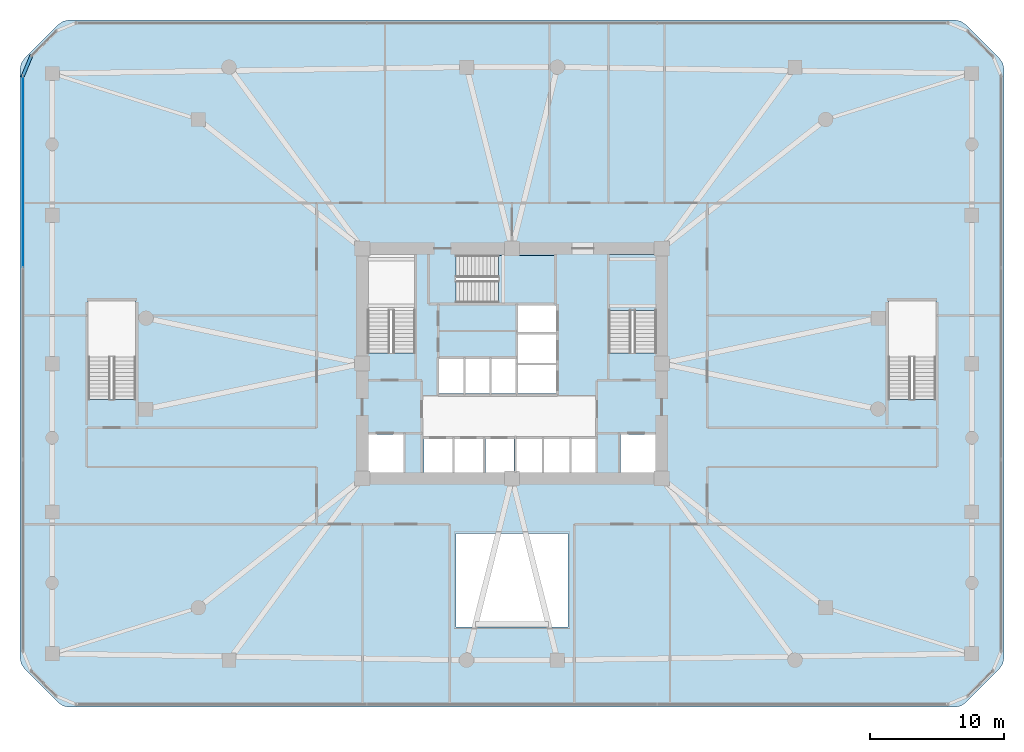
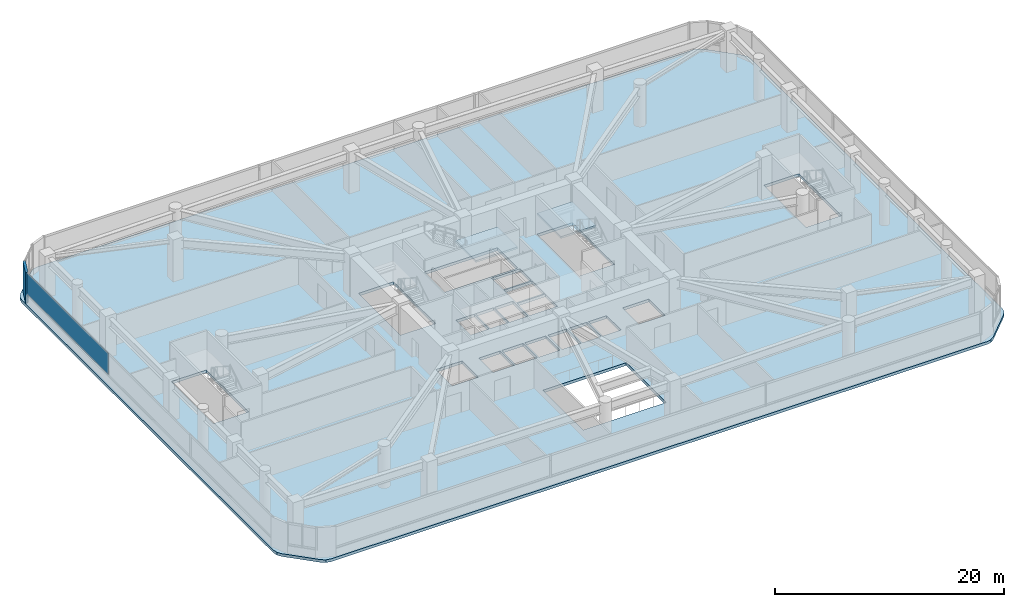
# One storey, part 13 of 21: 3 slabs, 2 plates, 3 elements without a shape of their own.
"""IFC4 building model written with IfcOpenShell, lengths in metres."""

from ifc_helpers import new_model, si_unit, derived_unit, direction, frame, origin, origin_2d, place, context, subcontext, project, spatial, polyline, rectangle, outline, extrude, material, layer, layer_set, type_object, element, aggregate, save


model = new_model("IFC4")

# Units and contexts
model_context = context("Model", 3, precision=1e-05, world=origin(), true_north=direction((0.0, 1.0)))
body_context = subcontext(model_context, "Body", "Model", "MODEL_VIEW")
ifc_project = project(units=[si_unit("LENGTHUNIT", "METRE"), si_unit("AREAUNIT", "SQUARE_METRE"), si_unit("VOLUMEUNIT", "CUBIC_METRE"), si_unit("PLANEANGLEUNIT", "RADIAN"), si_unit("MASSUNIT", "GRAM", prefix="KILO"), derived_unit("THERMALTRANSMITTANCEUNIT", [(si_unit("POWERUNIT", "WATT"), 1), (si_unit("LENGTHUNIT", "METRE"), -2), (si_unit("THERMODYNAMICTEMPERATUREUNIT", "KELVIN"), -1)])], contexts=[model_context])

# Site, building, storey
site_placement = place(None, origin())
site = spatial("IfcSite", under=ifc_project, at=site_placement, CompositionType="ELEMENT")
building_placement = place(site_placement, origin())
building = spatial("IfcBuilding", under=site, at=building_placement, Name="Koralith Skygarden Medical Center", CompositionType="ELEMENT")
storey_placement = place(building_placement, frame((0.0, 0.0, 5.39990234375)))
storey = spatial("IfcBuildingStorey", under=building, at=storey_placement, Name="L01", CompositionType="ELEMENT", Elevation=5.39990234375)

# Curtain wall, plate
ifc_material_1 = material(Name="Clear Laminated Glass", Category="glass")
curtain_wall_type = type_object("IfcCurtainWallType", Name="CW-1 Transit & Podium Acoustic Curtain Wall", PredefinedType="NOTDEFINED", material=ifc_material_1)
curtain_wall_placement = place(storey_placement, origin())
curtain_wall = element("IfcCurtainWall", 1, at=curtain_wall_placement, inside=storey, type_object=curtain_wall_type, Name="Curtain Wall CW-L01-W", PredefinedType="NOTDEFINED")
ifc_layer_1 = layer(ifc_material_1, 0.030029296875)
ifc_layer_set_1 = layer_set([ifc_layer_1], Name="Clear Laminated Glass")
plate_type_1 = type_object("IfcPlateType", Name="CW-1 Hurricane Laminated IGU Panel 30", PredefinedType="CURTAIN_PANEL", material=ifc_layer_set_1)
plate_1_placement = place(storey_placement, frame((0.419921875, 40.2470703125, 0.920166015625), z_axis=(0.0, 0.0, 1.0), x_axis=(0.0, -1.0, 0.0)))
plate_1 = element("IfcPlate", 2, at=plate_1_placement, type_object=plate_type_1, Name="CW-L01-W Glazed Panel 1", PredefinedType="CURTAIN_PANEL", context=body_context, shape_type="SweptSolid", body=[
    extrude(rectangle(XDim=14.257080078125, YDim=0.030029296875, at=origin_2d()), origin(), (0.0, 0.0, 1.0), 2.25),
])
aggregate(curtain_wall, [plate_1])

# Stair, slab
ifc_material_2 = material(Name="Concrete C45/55", Category="concrete")
stair_type = type_object("IfcStairType", Name="Core Exit Dogleg Concrete Stair", PredefinedType="HALF_TURN_STAIR", material=ifc_material_2)
stair_1_placement = place(storey_placement, origin())
stair_1 = element("IfcStair", 3, at=stair_1_placement, inside=storey, type_object=stair_type, Name="L01 Smokeproof Exit Stair ST2", PredefinedType="HALF_TURN_STAIR")
ifc_layer_2 = layer(ifc_material_2, 0.199951171875)
ifc_layer_set_2 = layer_set([ifc_layer_2], Name="Concrete C45/55")
slab_type_1 = type_object("IfcSlabType", Name="Core Exit Concrete Stair Landing 200", PredefinedType="LANDING", material=ifc_layer_set_2)
slab_1_placement = place(storey_placement, frame((0.0, 0.0, 2.050048828125)))
slab_1 = element("IfcSlab", 4, at=slab_1_placement, type_object=slab_type_1, Name="ST2 landing 1", PredefinedType="LANDING", context=body_context, shape_type="SweptSolid", body=[
    extrude(outline(polyline([(47.800048828125, 29.889892578125), (47.800048828125, 34.050048828125), (44.25, 34.050048828125), (44.25, 29.889892578125), (47.800048828125, 29.889892578125)])), origin(), (0.0, 0.0, 1.0), 0.199951171875),
])
aggregate(stair_1, [slab_1])

stair_2_placement = place(storey_placement, origin())
stair_2 = element("IfcStair", 5, at=stair_2_placement, inside=storey, type_object=stair_type, Name="L01 Smokeproof Exit Stair ST3", PredefinedType="HALF_TURN_STAIR")
slab_2_placement = place(storey_placement, frame((0.0, 0.0, 2.050048828125)))
slab_2 = element("IfcSlab", 6, at=slab_2_placement, type_object=slab_type_1, Name="ST3 landing 1", PredefinedType="LANDING", context=body_context, shape_type="SweptSolid", body=[
    extrude(outline(polyline([(35.989990234375, 30.449951171875), (40.199951171875, 30.449951171875), (40.199951171875, 34.0), (35.989990234375, 34.0), (35.989990234375, 30.449951171875)])), origin(), (0.0, 0.0, 1.0), 0.199951171875),
])
aggregate(stair_2, [slab_2])

# Slab
ifc_layer_3 = layer(ifc_material_2, 0.300048828125)
ifc_layer_set_3 = layer_set([ifc_layer_3], Name="Concrete C45/55")
slab_type_2 = type_object("IfcSlabType", Name="Podium & Diagnostic Stiffened Slab 300", PredefinedType="FLOOR", material=ifc_layer_set_3)
slab_3_placement = place(storey_placement, frame((0.0, 0.0, -0.2998046875)))
element("IfcSlab", 7, at=slab_3_placement, inside=storey, type_object=slab_type_2, Name="Level L01 Structural Floor Slab", PredefinedType="FLOOR", context=body_context, shape_type="SweptSolid", body=[
    extrude(outline(polyline([(3.049072265625, 0.551025390625), (3.43798828125, 0.291015625), (3.89697265625, 0.199951171875), (70.10302734375, 0.199951171875), (70.56201171875, 0.291015625), (70.950927734375, 0.551025390625), (73.448974609375, 3.049072265625), (73.708984375, 3.43798828125), (73.800048828125, 3.89697265625), (73.800048828125, 47.903076171875), (73.708984375, 48.362060546875), (73.448974609375, 48.7509765625), (70.950927734375, 51.2490234375), (70.56201171875, 51.509033203125), (70.10302734375, 51.60009765625), (3.89697265625, 51.60009765625), (3.43798828125, 51.509033203125), (3.049072265625, 51.2490234375), (0.551025390625, 48.7509765625), (0.291015625, 48.362060546875), (0.199951171875, 47.903076171875), (0.199951171875, 3.89697265625), (0.291015625, 3.43798828125), (0.551025390625, 3.049072265625), (3.049072265625, 0.551025390625)]), holes=[polyline([(26.199951171875, 26.705078125), (29.75, 26.705078125), (29.75, 34.050048828125), (26.199951171875, 34.050048828125), (26.199951171875, 26.705078125)]), polyline([(44.25, 26.705078125), (47.800048828125, 26.705078125), (47.800048828125, 34.050048828125), (44.25, 34.050048828125), (44.25, 26.705078125)]), polyline([(32.804931640625, 30.449951171875), (40.199951171875, 30.449951171875), (40.199951171875, 34.0), (32.804931640625, 34.0), (32.804931640625, 30.449951171875)]), polyline([(5.300048828125, 23.205078125), (8.85009765625, 23.205078125), (8.85009765625, 30.60009765625), (5.300048828125, 30.60009765625), (5.300048828125, 23.205078125)]), polyline([(65.14990234375, 23.205078125), (68.699951171875, 23.205078125), (68.699951171875, 30.60009765625), (65.14990234375, 30.60009765625), (65.14990234375, 23.205078125)]), polyline([(26.25, 17.75), (28.89990234375, 17.75), (28.89990234375, 20.60009765625), (26.25, 20.60009765625), (26.25, 17.75)]), polyline([(45.10009765625, 17.75), (47.75, 17.75), (47.75, 20.60009765625), (45.10009765625, 20.60009765625), (45.10009765625, 17.75)]), polyline([(30.39990234375, 17.75), (32.550048828125, 17.75), (32.550048828125, 20.25), (30.39990234375, 20.25), (30.39990234375, 17.75)]), polyline([(32.699951171875, 17.75), (34.85009765625, 17.75), (34.85009765625, 20.25), (32.699951171875, 20.25), (32.699951171875, 17.75)]), polyline([(35.0, 17.75), (37.14990234375, 17.75), (37.14990234375, 20.25), (35.0, 20.25), (35.0, 17.75)]), polyline([(37.35009765625, 17.75), (39.25, 17.75), (39.25, 20.25), (37.35009765625, 20.25), (37.35009765625, 17.75)]), polyline([(39.39990234375, 17.75), (41.300048828125, 17.75), (41.300048828125, 20.25), (39.39990234375, 20.25), (39.39990234375, 17.75)]), polyline([(41.449951171875, 17.75), (43.300048828125, 17.75), (43.300048828125, 20.25), (41.449951171875, 20.25), (41.449951171875, 17.75)]), polyline([(31.550048828125, 23.64990234375), (33.39990234375, 23.64990234375), (33.39990234375, 26.25), (31.550048828125, 26.25), (31.550048828125, 23.64990234375)]), polyline([(33.5, 23.64990234375), (35.35009765625, 23.64990234375), (35.35009765625, 26.25), (33.5, 26.25), (33.5, 23.64990234375)]), polyline([(35.449951171875, 23.64990234375), (37.300048828125, 23.64990234375), (37.300048828125, 26.25), (35.449951171875, 26.25), (35.449951171875, 23.64990234375)]), polyline([(37.449951171875, 23.64990234375), (40.300048828125, 23.64990234375), (40.300048828125, 25.800048828125), (37.449951171875, 25.800048828125), (37.449951171875, 23.64990234375)]), polyline([(37.449951171875, 25.949951171875), (40.300048828125, 25.949951171875), (40.300048828125, 28.10009765625), (37.449951171875, 28.10009765625), (37.449951171875, 25.949951171875)]), polyline([(37.449951171875, 28.25), (40.300048828125, 28.25), (40.300048828125, 30.25), (37.449951171875, 30.25), (37.449951171875, 28.25)]), polyline([(32.800048828125, 6.199951171875), (41.199951171875, 6.199951171875), (41.199951171875, 13.199951171875), (32.800048828125, 13.199951171875), (32.800048828125, 6.199951171875)])]), origin(), (0.0, 0.0, 1.0), 0.2998046875),
])

# Plate
ifc_material_3 = material(Name="Warm Oolitic Limestone Cladding", Category="masonry")
ifc_layer_4 = layer(ifc_material_3, 0.239990234375)
ifc_layer_set_4 = layer_set([ifc_layer_4], Name="Warm Oolitic Limestone Cladding")
plate_type_2 = type_object("IfcPlateType", Name="Rounded-Corner Oolitic Limestone Cladding Panel 240", PredefinedType="USERDEFINED", material=ifc_layer_set_4)
plate_2_placement = place(storey_placement, frame((0.719970703125, 48.14697265625, 0.0), z_axis=(0.0, 0.0, 1.0), x_axis=(-0.382670532536, -0.92388487569, 0.0)))
element("IfcPlate", 8, at=plate_2_placement, inside=storey, type_object=plate_type_2, Name="L01 Rounded-Corner Limestone Pier 6", ObjectType="LIMESTONE CLADDING", PredefinedType="USERDEFINED", context=body_context, shape_type="SweptSolid", body=[
    extrude(rectangle(XDim=1.81103515625, YDim=0.239990234375, at=origin_2d()), origin(), (0.0, 0.0, 1.0), 3.239990234375),
])

save(model, "model.ifc")
